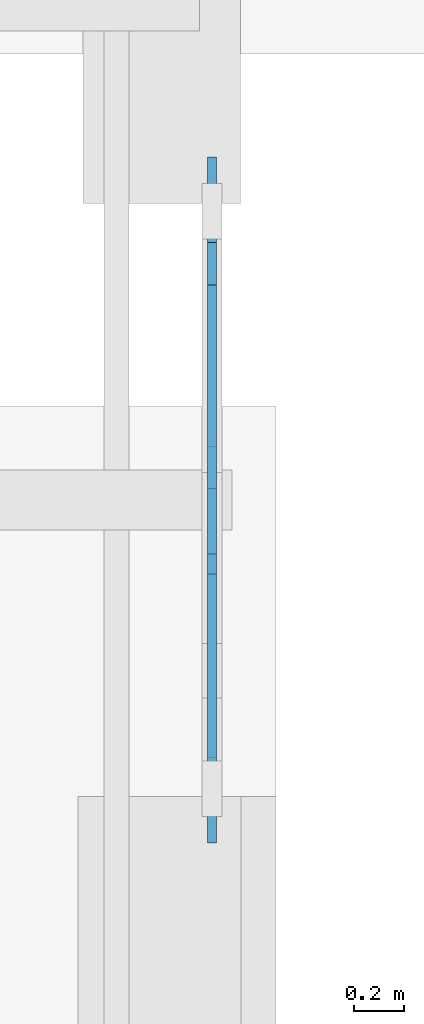
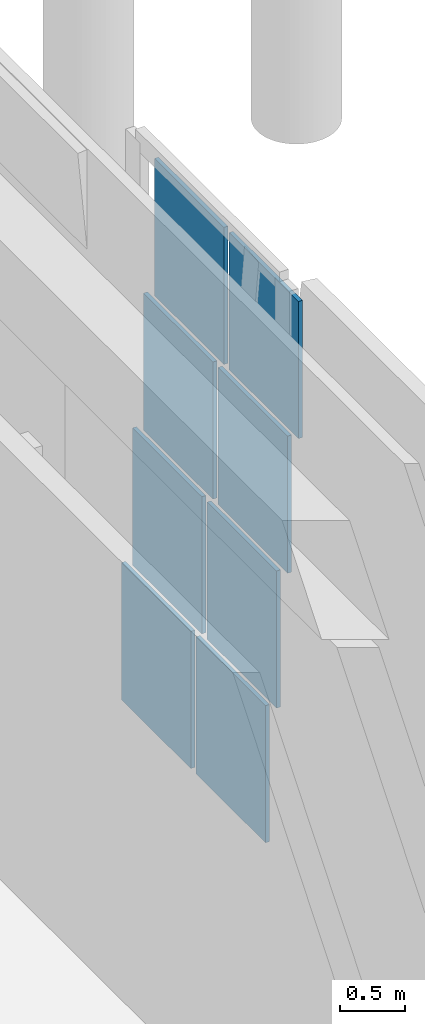
# One storey, part 26 of 51: 8 plates, 1 element without a shape of its own.
"""IFC4 building model written with IfcOpenShell, lengths in metres."""

from ifc_helpers import new_model, si_unit, direction, frame, origin, origin_2d, place, context, subcontext, project, spatial, rectangle, extrude, material, layer, layer_set, type_object, element, aggregate, save


model = new_model("IFC4")

# Units and contexts
model_context = context("Model", 3, precision=1e-05, world=origin(), true_north=direction((0.0, 1.0)))
body_context = subcontext(model_context, "Body", "Model", "MODEL_VIEW")
ifc_project = project(units=[si_unit("LENGTHUNIT", "METRE"), si_unit("AREAUNIT", "SQUARE_METRE"), si_unit("VOLUMEUNIT", "CUBIC_METRE"), si_unit("PLANEANGLEUNIT", "RADIAN"), si_unit("MASSUNIT", "GRAM", prefix="KILO")], contexts=[model_context])

# Site, building, storey
site_placement = place(None, origin())
site = spatial("IfcSite", under=ifc_project, at=site_placement, CompositionType="ELEMENT")
building_placement = place(site_placement, origin())
building = spatial("IfcBuilding", under=site, at=building_placement, Name="Bempovik Park Faculty of Sciences", CompositionType="ELEMENT")
storey_placement = place(building_placement, origin())
storey = spatial("IfcBuildingStorey", under=building, at=storey_placement, Name="L00", CompositionType="ELEMENT", Elevation=0.0)

# Curtain wall, plates
ifc_material = material(Name="Tempered laminated low-E glass", Category="glass")
ifc_layer_1 = layer(ifc_material, 0.159912109375)
ifc_layer_set_1 = layer_set([ifc_layer_1], Name="Tempered laminated low-E glass")
curtain_wall_type = type_object("IfcCurtainWallType", Name="CW-59 Curtain 2400x4500", PredefinedType="USERDEFINED", material=ifc_layer_set_1)
curtain_wall_placement = place(storey_placement, origin())
curtain_wall = element("IfcCurtainWall", 1, at=curtain_wall_placement, inside=storey, type_object=curtain_wall_type, Name="L00 Crystal Slantwise Light Fold (117.6,39.0)", ObjectType="UNITISED CURTAIN WALL", PredefinedType="USERDEFINED")
ifc_layer_2 = layer(ifc_material, 0.035888671875)
ifc_layer_set_2 = layer_set([ifc_layer_2], Name="Tempered laminated low-E glass")
plate_type = type_object("IfcPlateType", Name="CP-22 Curtain Panel 36mm", PredefinedType="CURTAIN_PANEL", material=ifc_layer_set_2)
plate_1_placement = place(storey_placement, frame((118.744384765625, 45.5048828125, 0.0), z_axis=(0.0, 0.0, 1.0), x_axis=(0.0, 1.0, 0.0)))
plate_1 = element("IfcPlate", 2, at=plate_1_placement, type_object=plate_type, Name="CW-FOLD-L00-1176-390 Panel 0-0", PredefinedType="CURTAIN_PANEL", context=body_context, shape_type="SweptSolid", body=[
    extrude(rectangle(XDim=1.070068359375, YDim=0.035888671875, at=origin_2d()), origin(), (0.0, 0.0, 1.0), 1.2900390625),
])
plate_2_placement = place(storey_placement, frame((118.744384765625, 45.3349609375, 1.369873046875), z_axis=(0.0, 0.0, 1.0), x_axis=(0.0, 1.0, 0.0)))
plate_2 = element("IfcPlate", 3, at=plate_2_placement, type_object=plate_type, Name="CW-FOLD-L00-1176-390 Panel 0-1", PredefinedType="CURTAIN_PANEL", context=body_context, shape_type="SweptSolid", body=[
    extrude(rectangle(XDim=1.070068359375, YDim=0.035888671875, at=origin_2d()), origin(), (0.0, 0.0, 1.0), 1.2900390625),
])
plate_3_placement = place(storey_placement, frame((118.744384765625, 45.1650390625, 2.739990234375), z_axis=(0.0, 0.0, 1.0), x_axis=(0.0, 1.0, 0.0)))
plate_3 = element("IfcPlate", 4, at=plate_3_placement, type_object=plate_type, Name="CW-FOLD-L00-1176-390 Panel 0-2", PredefinedType="CURTAIN_PANEL", context=body_context, shape_type="SweptSolid", body=[
    extrude(rectangle(XDim=1.070068359375, YDim=0.035888671875, at=origin_2d()), origin(), (0.0, 0.0, 1.0), 1.2900390625),
])
plate_4_placement = place(storey_placement, frame((118.744384765625, 44.9951171875, 4.10986328125), z_axis=(0.0, 0.0, 1.0), x_axis=(0.0, 1.0, 0.0)))
plate_4 = element("IfcPlate", 5, at=plate_4_placement, type_object=plate_type, Name="CW-FOLD-L00-1176-390 Panel 0-3", PredefinedType="CURTAIN_PANEL", context=body_context, shape_type="SweptSolid", body=[
    extrude(rectangle(XDim=1.070068359375, YDim=0.035888671875, at=origin_2d()), origin(), (0.0, 0.0, 1.0), 1.2900390625),
])
plate_5_placement = place(storey_placement, frame((118.744384765625, 46.655029296875, 0.0), z_axis=(0.0, 0.0, 1.0), x_axis=(0.0, 1.0, 0.0)))
plate_5 = element("IfcPlate", 6, at=plate_5_placement, type_object=plate_type, Name="CW-FOLD-L00-1176-390 Panel 1-0", PredefinedType="CURTAIN_PANEL", context=body_context, shape_type="SweptSolid", body=[
    extrude(rectangle(XDim=1.070068359375, YDim=0.035888671875, at=origin_2d()), origin(), (0.0, 0.0, 1.0), 1.2900390625),
])
plate_6_placement = place(storey_placement, frame((118.744384765625, 46.485107421875, 1.369873046875), z_axis=(0.0, 0.0, 1.0), x_axis=(0.0, 1.0, 0.0)))
plate_6 = element("IfcPlate", 7, at=plate_6_placement, type_object=plate_type, Name="CW-FOLD-L00-1176-390 Panel 1-1", PredefinedType="CURTAIN_PANEL", context=body_context, shape_type="SweptSolid", body=[
    extrude(rectangle(XDim=1.070068359375, YDim=0.035888671875, at=origin_2d()), origin(), (0.0, 0.0, 1.0), 1.2900390625),
])
plate_7_placement = place(storey_placement, frame((118.744384765625, 46.31494140625, 2.739990234375), z_axis=(0.0, 0.0, 1.0), x_axis=(0.0, 1.0, 0.0)))
plate_7 = element("IfcPlate", 8, at=plate_7_placement, type_object=plate_type, Name="CW-FOLD-L00-1176-390 Panel 1-2", PredefinedType="CURTAIN_PANEL", context=body_context, shape_type="SweptSolid", body=[
    extrude(rectangle(XDim=1.070068359375, YDim=0.035888671875, at=origin_2d()), origin(), (0.0, 0.0, 1.0), 1.2900390625),
])
plate_8_placement = place(storey_placement, frame((118.744384765625, 46.14501953125, 4.10986328125), z_axis=(0.0, 0.0, 1.0), x_axis=(0.0, 1.0, 0.0)))
plate_8 = element("IfcPlate", 9, at=plate_8_placement, type_object=plate_type, Name="CW-FOLD-L00-1176-390 Panel 1-3", PredefinedType="CURTAIN_PANEL", context=body_context, shape_type="SweptSolid", body=[
    extrude(rectangle(XDim=1.070068359375, YDim=0.035888671875, at=origin_2d()), origin(), (0.0, 0.0, 1.0), 1.2900390625),
])
aggregate(curtain_wall, [plate_1, plate_2, plate_3, plate_4, plate_5, plate_6, plate_7, plate_8])

save(model, "model.ifc")
